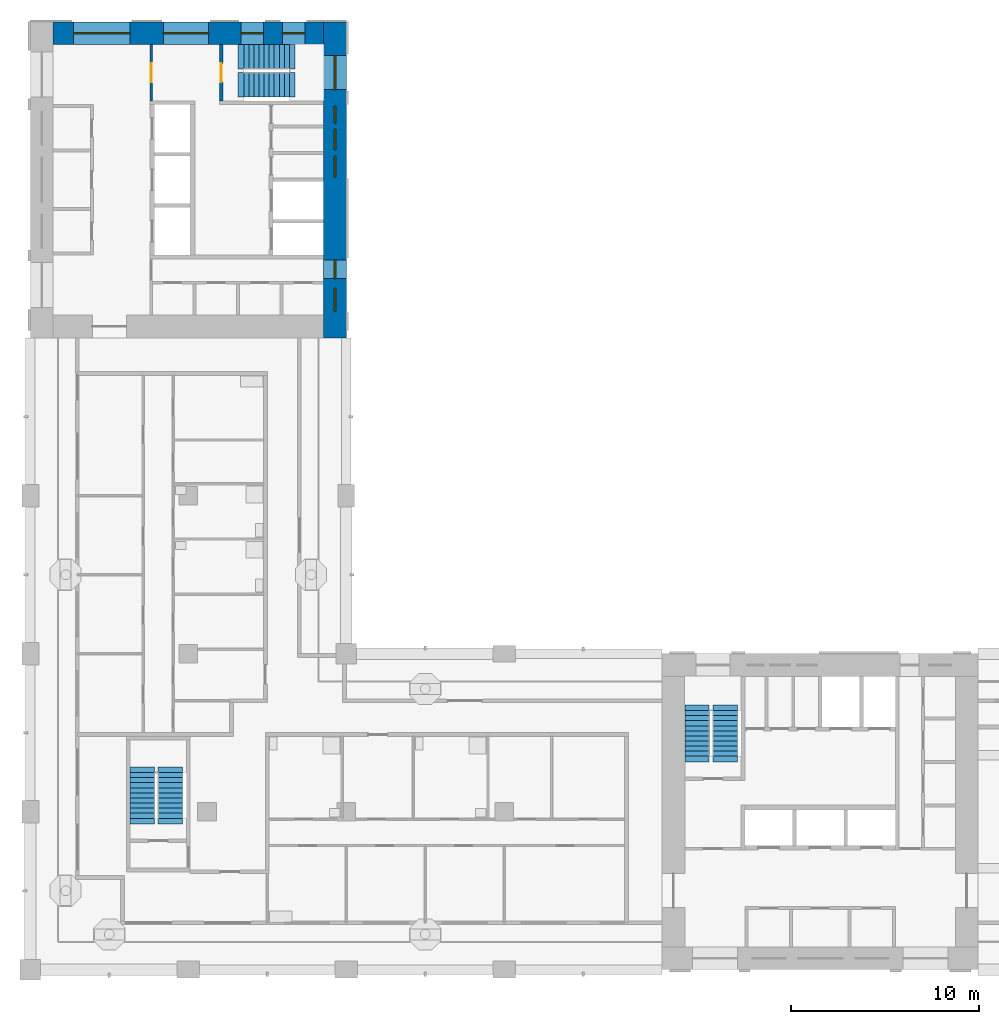
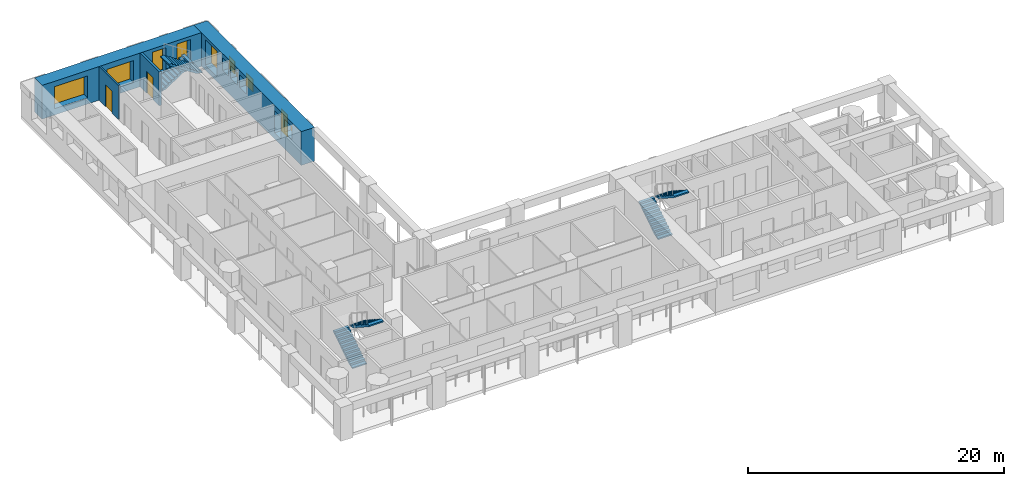
# One storey, part 7 of 13: 10 windows, 6 stair flights, 4 walls, 2 doors, 12 openings, 3 elements without a shape of their own.
"""IFC4 building model written with IfcOpenShell, lengths in metres."""

from ifc_helpers import new_model, si_unit, direction, frame, frame_2d, origin, place, context, subcontext, project, spatial, polyline, rectangle, outline, extrude, material, layer, layer_set, type_object, element, fill, aggregate, save


model = new_model("IFC4")

# Units and contexts
model_context = context("Model", 3, precision=1e-05, world=origin(), true_north=direction((0.0, 1.0)))
body_context = subcontext(model_context, "Body", "Model", "MODEL_VIEW")
ifc_project = project(units=[si_unit("LENGTHUNIT", "METRE"), si_unit("AREAUNIT", "SQUARE_METRE"), si_unit("VOLUMEUNIT", "CUBIC_METRE"), si_unit("PLANEANGLEUNIT", "RADIAN"), si_unit("MASSUNIT", "GRAM", prefix="KILO")], contexts=[model_context])

# Site, building, storey
site_placement = place(None, origin())
site = spatial("IfcSite", under=ifc_project, at=site_placement, CompositionType="ELEMENT")
building_placement = place(site_placement, origin())
building = spatial("IfcBuilding", under=site, at=building_placement, Name="Vermilion Gate Residences", CompositionType="ELEMENT")
storey_placement = place(building_placement, frame((0.0, 0.0, 158.199951171875)))
storey = spatial("IfcBuildingStorey", under=building, at=storey_placement, Name="L40", CompositionType="ELEMENT", Elevation=158.199951171875)

# Wall, opening, door
ifc_material_1 = material(Name="Masonry blockwork", Category="masonry")
ifc_layer_1 = layer(ifc_material_1, 0.14990234375)
ifc_layer_set_1 = layer_set([ifc_layer_1], Name="BLOCKWORK PARTITION 150 EI 120")
wall_type_1 = type_object("IfcWallType", Name="BLOCKWORK PARTITION 150 EI 120", PredefinedType="PARTITIONING", material=ifc_layer_set_1)
wall_1_placement = place(storey_placement, frame((14.824951171875, 57.60009765625, 0.0), z_axis=(0.0, 0.0, 1.0), x_axis=(0.0, -1.0, 0.0)))
wall_1 = element("IfcWall", 1, at=wall_1_placement, inside=storey, type_object=wall_type_1, Name="Core room partition B40-VW-S", PredefinedType="PARTITIONING", context=body_context, shape_type="SweptSolid", body=[
    extrude(rectangle(XDim=3.0, YDim=0.14990234375, at=frame_2d((1.5, 0.0))), origin(), (0.0, 0.0, 1.0), 3.219970703125),
])
opening_1_placement = place(wall_1_placement, frame((1.0, 0.0, 0.0)))
opening_1 = element("IfcOpeningElement", 2, at=opening_1_placement, cuts=wall_1, Name="Opening DK40113", PredefinedType="OPENING", context=body_context, shape_type="SweptSolid", body=[
    extrude(rectangle(XDim=1.0, YDim=2.10009765625, at=frame_2d((0.5, 1.050048828125))), frame((0.0, 0.0849609375, 0.0), z_axis=(0.0, -1.0, 0.0), x_axis=(1.0, 0.0, 0.0)), (0.0, 0.0, 1.0), 0.169921875),
])
ifc_material_2 = material(Name="Steel", Category="steel")
door_type = type_object("IfcDoorType", Name="FIRE DOOR FD60 1000 X 2100", OperationType="SINGLE_SWING_LEFT", PredefinedType="DOOR", material=ifc_material_2)
door_1_placement = place(opening_1_placement, frame((1.0, 0.0, 0.0), z_axis=(0.0, 0.0, 1.0), x_axis=(-1.0, 0.0, 0.0)))
door_1 = element("IfcDoor", 3, at=door_1_placement, inside=storey, type_object=door_type, Name="Stair vestibule door B40", OperationType="SINGLE_SWING_RIGHT", OverallHeight=2.10009765625, OverallWidth=1.0, PredefinedType="DOOR", context=body_context, shape_type="SweptSolid", body=[
    extrude(rectangle(XDim=1.0, YDim=2.10009765625, at=frame_2d((0.5, 1.050048828125))), frame((0.0, 0.02490234375, 0.0), z_axis=(0.0, -1.0, 0.0), x_axis=(1.0, 0.0, 0.0)), (0.0, 0.0, 1.0), 0.050048828125),
])
fill(opening_1, door_1)

ifc_material_3 = material(Name="Concrete C60", Category="concrete")
ifc_layer_2 = layer(ifc_material_3, 0.199951171875)
ifc_layer_set_2 = layer_set([ifc_layer_2], Name="RC CORE INTERNAL WALL 200 C60")
wall_type_2 = type_object("IfcWallType", Name="RC CORE INTERNAL WALL 200 C60", PredefinedType="SHEAR", material=ifc_layer_set_2)
wall_2_placement = place(storey_placement, frame((18.550048828125, 57.60009765625, 0.0), z_axis=(0.0, 0.0, 1.0), x_axis=(0.0, -1.0, 0.0)))
wall_2 = element("IfcWall", 4, at=wall_2_placement, inside=storey, type_object=wall_type_2, Name="Core internal wall B40-STW-S", PredefinedType="SHEAR", context=body_context, shape_type="SweptSolid", body=[
    extrude(rectangle(XDim=3.0, YDim=0.199951171875, at=frame_2d((1.5, 0.0))), origin(), (0.0, 0.0, 1.0), 3.219970703125),
])
opening_2_placement = place(wall_2_placement, frame((1.0, 0.0, 0.0)))
opening_2 = element("IfcOpeningElement", 5, at=opening_2_placement, cuts=wall_2, Name="Opening DK40114", PredefinedType="OPENING", context=body_context, shape_type="SweptSolid", body=[
    extrude(rectangle(XDim=1.0, YDim=2.10009765625, at=frame_2d((0.5, 1.050048828125))), frame((0.0, 0.10986328125, 0.0), z_axis=(0.0, -1.0, 0.0), x_axis=(1.0, 0.0, 0.0)), (0.0, 0.0, 1.0), 0.219970703125),
])
door_2_placement = place(opening_2_placement, origin())
door_2 = element("IfcDoor", 6, at=door_2_placement, inside=storey, type_object=door_type, Name="Stair door B40", OperationType="SINGLE_SWING_LEFT", OverallHeight=2.10009765625, OverallWidth=1.0, PredefinedType="DOOR", context=body_context, shape_type="SweptSolid", body=[
    extrude(rectangle(XDim=1.0, YDim=2.10009765625, at=frame_2d((0.5, 1.050048828125))), frame((0.0, 0.02490234375, 0.0), z_axis=(0.0, -1.0, 0.0), x_axis=(1.0, 0.0, 0.0)), (0.0, 0.0, 1.0), 0.050048828125),
])
fill(opening_2, door_2)

# Wall, openings, windows
ifc_material_4 = material(Name="Concrete C60 red-oxide pigmented", Category="concrete")
ifc_layer_3 = layer(ifc_material_4, 1.199951171875)
ifc_layer_set_3 = layer_set([ifc_layer_3], Name="RC CORE WALL 1200 C60 RED OXIDE")
wall_type_3 = type_object("IfcWallType", Name="RC CORE WALL 1200 C60 RED OXIDE", PredefinedType="SHEAR", material=ifc_layer_set_3)
wall_3_placement = place(storey_placement, frame((24.60009765625, 58.800048828125, 0.0), z_axis=(0.0, 0.0, 1.0), x_axis=(0.0, -1.0, 0.0)))
wall_3 = element("IfcWall", 7, at=wall_3_placement, inside=storey, type_object=wall_type_3, Name="Core wall B40-OUT-B1", PredefinedType="SHEAR", context=body_context, shape_type="SweptSolid", body=[
    extrude(rectangle(XDim=16.800048828125, YDim=1.199951171875, at=frame_2d((8.39990234375, 0.0))), origin(), (0.0, 0.0, 1.0), 3.219970703125),
])
opening_3_placement = place(wall_3_placement, frame((1.800048828125, 0.0, 0.5)))
opening_3 = element("IfcOpeningElement", 8, at=opening_3_placement, cuts=wall_3, Name="Opening WKB4006", PredefinedType="OPENING", context=body_context, shape_type="SweptSolid", body=[
    extrude(rectangle(XDim=1.800048828125, YDim=2.39990234375, at=frame_2d((0.89990234375, 1.199951171875))), frame((0.0, 0.60986328125, 0.0), z_axis=(0.0, -1.0, 0.0), x_axis=(1.0, 0.0, 0.0)), (0.0, 0.0, 1.0), 1.219970703125),
])
opening_4_placement = place(wall_3_placement, frame((4.489990234375, 0.0, 1.60009765625)))
opening_4 = element("IfcOpeningElement", 9, at=opening_4_placement, cuts=wall_3, Name="Opening WKB4007", PredefinedType="OPENING", context=body_context, shape_type="SweptSolid", body=[
    extrude(rectangle(XDim=0.89990234375, YDim=1.199951171875, at=frame_2d((0.449951171875, 0.60009765625))), frame((0.0, 0.60986328125, 0.0), z_axis=(0.0, -1.0, 0.0), x_axis=(1.0, 0.0, 0.0)), (0.0, 0.0, 1.0), 1.219970703125),
])
opening_5_placement = place(wall_3_placement, frame((5.7099609375, 0.0, 1.60009765625)))
opening_5 = element("IfcOpeningElement", 10, at=opening_5_placement, cuts=wall_3, Name="Opening WKB4008", PredefinedType="OPENING", context=body_context, shape_type="SweptSolid", body=[
    extrude(rectangle(XDim=1.10009765625, YDim=1.199951171875, at=frame_2d((0.550048828125, 0.60009765625))), frame((0.0, 0.60986328125, 0.0), z_axis=(0.0, -1.0, 0.0), x_axis=(1.0, 0.0, 0.0)), (0.0, 0.0, 1.0), 1.219970703125),
])
opening_6_placement = place(wall_3_placement, frame((7.14990234375, 0.0, 1.60009765625)))
opening_6 = element("IfcOpeningElement", 11, at=opening_6_placement, cuts=wall_3, Name="Opening WKB4009", PredefinedType="OPENING", context=body_context, shape_type="SweptSolid", body=[
    extrude(rectangle(XDim=1.10009765625, YDim=1.199951171875, at=frame_2d((0.550048828125, 0.60009765625))), frame((0.0, 0.60986328125, 0.0), z_axis=(0.0, -1.0, 0.0), x_axis=(1.0, 0.0, 0.0)), (0.0, 0.0, 1.0), 1.219970703125),
])
opening_7_placement = place(wall_3_placement, frame((12.64990234375, 0.0, 0.60009765625)))
opening_7 = element("IfcOpeningElement", 12, at=opening_7_placement, cuts=wall_3, Name="Opening WKB4010", PredefinedType="OPENING", context=body_context, shape_type="SweptSolid", body=[
    extrude(rectangle(XDim=1.0, YDim=2.10009765625, at=frame_2d((0.5, 1.050048828125))), frame((0.0, 0.60986328125, 0.0), z_axis=(0.0, -1.0, 0.0), x_axis=(1.0, 0.0, 0.0)), (0.0, 0.0, 1.0), 1.219970703125),
])
opening_8_placement = place(wall_3_placement, frame((14.175048828125, 0.0, 1.60009765625)))
opening_8 = element("IfcOpeningElement", 13, at=opening_8_placement, cuts=wall_3, Name="Opening WKB4011", PredefinedType="OPENING", context=body_context, shape_type="SweptSolid", body=[
    extrude(rectangle(XDim=1.199951171875, YDim=1.199951171875, at=frame_2d((0.60009765625, 0.60009765625))), frame((0.0, 0.60986328125, 0.0), z_axis=(0.0, -1.0, 0.0), x_axis=(1.0, 0.0, 0.0)), (0.0, 0.0, 1.0), 1.219970703125),
])
ifc_material_5 = material(Name="Aluminium and clear glass", Category="aluminium")
window_type_1 = type_object("IfcWindowType", Name="CORE CORRIDOR WINDOW 1000 X 2100", PartitioningType="SINGLE_PANEL", PredefinedType="WINDOW", material=ifc_material_5)
window_1_placement = place(opening_7_placement, origin())
window_1 = element("IfcWindow", 14, at=window_1_placement, inside=storey, type_object=window_type_1, Name="Core corridor window", OverallHeight=2.10009765625, OverallWidth=1.0, PartitioningType="SINGLE_PANEL", PredefinedType="WINDOW", context=body_context, shape_type="SweptSolid", body=[
    extrude(rectangle(XDim=1.0, YDim=2.10009765625, at=frame_2d((0.5, 1.050048828125))), frame((0.0, 0.030029296875, 0.0), z_axis=(0.0, -1.0, 0.0), x_axis=(1.0, 0.0, 0.0)), (0.0, 0.0, 1.0), 0.06005859375),
])
fill(opening_7, window_1)
ifc_material_6 = material(Name="Aluminium frame with louvre blades", Category="aluminium")
window_type_2 = type_object("IfcWindowType", Name="CORE LOUVRE 1100 X 1200", PartitioningType="SINGLE_PANEL", PredefinedType="WINDOW", material=ifc_material_6)
window_2_placement = place(opening_5_placement, origin())
window_2 = element("IfcWindow", 15, at=window_2_placement, inside=storey, type_object=window_type_2, Name="Core louvre", OverallHeight=1.199951171875, OverallWidth=1.10009765625, PartitioningType="SINGLE_PANEL", PredefinedType="WINDOW", context=body_context, shape_type="SweptSolid", body=[
    extrude(rectangle(XDim=1.10009765625, YDim=1.199951171875, at=frame_2d((0.550048828125, 0.60009765625))), frame((0.0, 0.030029296875, 0.0), z_axis=(0.0, -1.0, 0.0), x_axis=(1.0, 0.0, 0.0)), (0.0, 0.0, 1.0), 0.06005859375),
])
fill(opening_5, window_2)
window_3_placement = place(opening_6_placement, origin())
window_3 = element("IfcWindow", 16, at=window_3_placement, inside=storey, type_object=window_type_2, Name="Core louvre", OverallHeight=1.199951171875, OverallWidth=1.10009765625, PartitioningType="SINGLE_PANEL", PredefinedType="WINDOW", context=body_context, shape_type="SweptSolid", body=[
    extrude(rectangle(XDim=1.10009765625, YDim=1.199951171875, at=frame_2d((0.550048828125, 0.60009765625))), frame((0.0, 0.030029296875, 0.0), z_axis=(0.0, -1.0, 0.0), x_axis=(1.0, 0.0, 0.0)), (0.0, 0.0, 1.0), 0.06005859375),
])
fill(opening_6, window_3)
ifc_material_7 = material(Name="Aluminium frame with louvre blades", Category="aluminium")
window_type_3 = type_object("IfcWindowType", Name="CORE LOUVRE 1200 X 1200", PartitioningType="SINGLE_PANEL", PredefinedType="WINDOW", material=ifc_material_7)
window_4_placement = place(opening_8_placement, origin())
window_4 = element("IfcWindow", 17, at=window_4_placement, inside=storey, type_object=window_type_3, Name="Core louvre", OverallHeight=1.199951171875, OverallWidth=1.199951171875, PartitioningType="SINGLE_PANEL", PredefinedType="WINDOW", context=body_context, shape_type="SweptSolid", body=[
    extrude(rectangle(XDim=1.199951171875, YDim=1.199951171875, at=frame_2d((0.60009765625, 0.60009765625))), frame((0.0, 0.030029296875, 0.0), z_axis=(0.0, -1.0, 0.0), x_axis=(1.0, 0.0, 0.0)), (0.0, 0.0, 1.0), 0.06005859375),
])
fill(opening_8, window_4)
ifc_material_8 = material(Name="Aluminium frame with louvre blades", Category="aluminium")
window_type_4 = type_object("IfcWindowType", Name="CORE LOUVRE 900 X 1200", PartitioningType="SINGLE_PANEL", PredefinedType="WINDOW", material=ifc_material_8)
window_5_placement = place(opening_4_placement, origin())
window_5 = element("IfcWindow", 18, at=window_5_placement, inside=storey, type_object=window_type_4, Name="Core louvre", OverallHeight=1.199951171875, OverallWidth=0.89990234375, PartitioningType="SINGLE_PANEL", PredefinedType="WINDOW", context=body_context, shape_type="SweptSolid", body=[
    extrude(rectangle(XDim=0.89990234375, YDim=1.199951171875, at=frame_2d((0.449951171875, 0.60009765625))), frame((0.0, 0.030029296875, 0.0), z_axis=(0.0, -1.0, 0.0), x_axis=(1.0, 0.0, 0.0)), (0.0, 0.0, 1.0), 0.06005859375),
])
fill(opening_4, window_5)
ifc_material_9 = material(Name="Aluminium and clear glass", Category="aluminium")
window_type_5 = type_object("IfcWindowType", Name="CORE STAIR WINDOW 1800 X 2400", PartitioningType="SINGLE_PANEL", PredefinedType="WINDOW", material=ifc_material_9)
window_6_placement = place(opening_3_placement, origin())
window_6 = element("IfcWindow", 19, at=window_6_placement, inside=storey, type_object=window_type_5, Name="Core stair window", OverallHeight=2.39990234375, OverallWidth=1.800048828125, PartitioningType="SINGLE_PANEL", PredefinedType="WINDOW", context=body_context, shape_type="SweptSolid", body=[
    extrude(rectangle(XDim=1.800048828125, YDim=2.39990234375, at=frame_2d((0.89990234375, 1.199951171875))), frame((0.0, 0.030029296875, 0.0), z_axis=(0.0, -1.0, 0.0), x_axis=(1.0, 0.0, 0.0)), (0.0, 0.0, 1.0), 0.06005859375),
])
fill(opening_3, window_6)

wall_4_placement = place(storey_placement, frame((9.60009765625, 58.199951171875, 0.0), z_axis=(0.0, 0.0, 1.0), x_axis=(1.0, 0.0, 0.0)))
wall_4 = element("IfcWall", 20, at=wall_4_placement, inside=storey, type_object=wall_type_3, Name="Core wall B40-OUT-FR", PredefinedType="SHEAR", context=body_context, shape_type="SweptSolid", body=[
    extrude(rectangle(XDim=14.39990234375, YDim=1.199951171875, at=frame_2d((7.199951171875, 0.0))), origin(), (0.0, 0.0, 1.0), 3.219970703125),
])
opening_9_placement = place(wall_4_placement, frame((1.10498046875, 0.0, 0.60009765625)))
opening_9 = element("IfcOpeningElement", 21, at=opening_9_placement, cuts=wall_4, Name="Opening WKB4012", PredefinedType="OPENING", context=body_context, shape_type="SweptSolid", body=[
    extrude(rectangle(XDim=3.0, YDim=2.10009765625, at=frame_2d((1.5, 1.050048828125))), frame((0.0, 0.60986328125, 0.0), z_axis=(0.0, -1.0, 0.0), x_axis=(1.0, 0.0, 0.0)), (0.0, 0.0, 1.0), 1.219970703125),
])
opening_10_placement = place(wall_4_placement, frame((5.875, 0.0, 0.60009765625)))
opening_10 = element("IfcOpeningElement", 22, at=opening_10_placement, cuts=wall_4, Name="Opening WKB4013", PredefinedType="OPENING", context=body_context, shape_type="SweptSolid", body=[
    extrude(rectangle(XDim=2.39990234375, YDim=2.10009765625, at=frame_2d((1.199951171875, 1.050048828125))), frame((0.0, 0.60986328125, 0.0), z_axis=(0.0, -1.0, 0.0), x_axis=(1.0, 0.0, 0.0)), (0.0, 0.0, 1.0), 1.219970703125),
])
opening_11_placement = place(wall_4_placement, frame((9.993408203125, 0.0, 0.5)))
opening_11 = element("IfcOpeningElement", 23, at=opening_11_placement, cuts=wall_4, Name="Opening WKB4014", PredefinedType="OPENING", context=body_context, shape_type="SweptSolid", body=[
    extrude(rectangle(XDim=1.199951171875, YDim=2.39990234375, at=frame_2d((0.60009765625, 1.199951171875))), frame((0.0, 0.60986328125, 0.0), z_axis=(0.0, -1.0, 0.0), x_axis=(1.0, 0.0, 0.0)), (0.0, 0.0, 1.0), 1.219970703125),
])
opening_12_placement = place(wall_4_placement, frame((12.19677734375, 0.0, 0.5)))
opening_12 = element("IfcOpeningElement", 24, at=opening_12_placement, cuts=wall_4, Name="Opening WKB4015", PredefinedType="OPENING", context=body_context, shape_type="SweptSolid", body=[
    extrude(rectangle(XDim=1.199951171875, YDim=2.39990234375, at=frame_2d((0.60009765625, 1.199951171875))), frame((0.0, 0.60986328125, 0.0), z_axis=(0.0, -1.0, 0.0), x_axis=(1.0, 0.0, 0.0)), (0.0, 0.0, 1.0), 1.219970703125),
])
ifc_material_10 = material(Name="Aluminium and clear glass", Category="aluminium")
window_type_6 = type_object("IfcWindowType", Name="CORE LOBBY WINDOW 2400 X 2100", PartitioningType="SINGLE_PANEL", PredefinedType="WINDOW", material=ifc_material_10)
window_7_placement = place(opening_10_placement, origin())
window_7 = element("IfcWindow", 25, at=window_7_placement, inside=storey, type_object=window_type_6, Name="Core lobby window", OverallHeight=2.10009765625, OverallWidth=2.39990234375, PartitioningType="SINGLE_PANEL", PredefinedType="WINDOW", context=body_context, shape_type="SweptSolid", body=[
    extrude(rectangle(XDim=2.39990234375, YDim=2.10009765625, at=frame_2d((1.199951171875, 1.050048828125))), frame((0.0, 0.030029296875, 0.0), z_axis=(0.0, -1.0, 0.0), x_axis=(1.0, 0.0, 0.0)), (0.0, 0.0, 1.0), 0.06005859375),
])
fill(opening_10, window_7)
ifc_material_11 = material(Name="Aluminium and clear glass", Category="aluminium")
window_type_7 = type_object("IfcWindowType", Name="CORE LOBBY WINDOW 3000 X 2100", PartitioningType="SINGLE_PANEL", PredefinedType="WINDOW", material=ifc_material_11)
window_8_placement = place(opening_9_placement, origin())
window_8 = element("IfcWindow", 26, at=window_8_placement, inside=storey, type_object=window_type_7, Name="Core lobby window", OverallHeight=2.10009765625, OverallWidth=3.0, PartitioningType="SINGLE_PANEL", PredefinedType="WINDOW", context=body_context, shape_type="SweptSolid", body=[
    extrude(rectangle(XDim=3.0, YDim=2.10009765625, at=frame_2d((1.5, 1.050048828125))), frame((0.0, 0.030029296875, 0.0), z_axis=(0.0, -1.0, 0.0), x_axis=(1.0, 0.0, 0.0)), (0.0, 0.0, 1.0), 0.06005859375),
])
fill(opening_9, window_8)
ifc_material_12 = material(Name="Aluminium and clear glass", Category="aluminium")
window_type_8 = type_object("IfcWindowType", Name="CORE STAIR WINDOW 1200 X 2400", PartitioningType="SINGLE_PANEL", PredefinedType="WINDOW", material=ifc_material_12)
window_9_placement = place(opening_11_placement, origin())
window_9 = element("IfcWindow", 27, at=window_9_placement, inside=storey, type_object=window_type_8, Name="Core stair window", OverallHeight=2.39990234375, OverallWidth=1.199951171875, PartitioningType="SINGLE_PANEL", PredefinedType="WINDOW", context=body_context, shape_type="SweptSolid", body=[
    extrude(rectangle(XDim=1.199951171875, YDim=2.39990234375, at=frame_2d((0.60009765625, 1.199951171875))), frame((0.0, 0.030029296875, 0.0), z_axis=(0.0, -1.0, 0.0), x_axis=(1.0, 0.0, 0.0)), (0.0, 0.0, 1.0), 0.06005859375),
])
fill(opening_11, window_9)
window_10_placement = place(opening_12_placement, origin())
window_10 = element("IfcWindow", 28, at=window_10_placement, inside=storey, type_object=window_type_8, Name="Core stair window", OverallHeight=2.39990234375, OverallWidth=1.199951171875, PartitioningType="SINGLE_PANEL", PredefinedType="WINDOW", context=body_context, shape_type="SweptSolid", body=[
    extrude(rectangle(XDim=1.199951171875, YDim=2.39990234375, at=frame_2d((0.60009765625, 1.199951171875))), frame((0.0, 0.030029296875, 0.0), z_axis=(0.0, -1.0, 0.0), x_axis=(1.0, 0.0, 0.0)), (0.0, 0.0, 1.0), 0.06005859375),
])
fill(opening_12, window_10)

# Stair, stair flights
ifc_material_13 = material(Name="Concrete C50", Category="concrete")
stair_type = type_object("IfcStairType", Name="SPECIAL ESCAPE STAIR 1300", PredefinedType="HALF_TURN_STAIR", material=ifc_material_13)
stair_1_placement = place(storey_placement, origin())
stair_1 = element("IfcStair", 29, at=stair_1_placement, inside=storey, type_object=stair_type, Name="Special escape stair STA1-40", PredefinedType="HALF_TURN_STAIR")
ifc_material_14 = material(Name="Concrete C50", Category="concrete")
stair_flight_type = type_object("IfcStairFlightType", Name="STAIR FLIGHT 1300 RC C50", PredefinedType="STRAIGHT", material=ifc_material_14)
stair_flight_1_placement = place(storey_placement, frame((43.85009765625, 19.75, 0.0), z_axis=(0.0, 0.0, 1.0), x_axis=(0.0, 1.0, 0.0)))
stair_flight_1 = element("IfcStairFlight", 30, at=stair_flight_1_placement, type_object=stair_flight_type, Name="STA1-40 flight 1", NumberOfRisers=10, NumberOfTreads=9, PredefinedType="STRAIGHT", RiserHeight=0.175, TreadLength=0.27, context=body_context, shape_type="SweptSolid", body=[
    extrude(outline(polyline([(-0.300048828125, -0.14990234375), (-0.300048828125, -0.030029296875), (0.0, 0.0), (0.0, 0.175048828125), (0.27001953125, 0.175048828125), (0.27001953125, 0.35009765625), (0.5400390625, 0.35009765625), (0.5400390625, 0.52490234375), (0.81005859375, 0.52490234375), (0.81005859375, 0.699951171875), (1.080078125, 0.699951171875), (1.080078125, 0.875), (1.35009765625, 0.875), (1.35009765625, 1.050048828125), (1.6201171875, 1.050048828125), (1.6201171875, 1.22509765625), (1.889892578125, 1.22509765625), (1.889892578125, 1.39990234375), (2.159912109375, 1.39990234375), (2.159912109375, 1.574951171875), (2.429931640625, 1.574951171875), (2.429931640625, 1.75), (2.72998046875, 1.719970703125), (2.72998046875, 1.60009765625), (2.429931640625, 1.396484375), (0.275634765625, 0.0), (-0.300048828125, -0.14990234375)])), frame((0.0, 0.64990234375, 0.0), z_axis=(0.0, -1.0, 0.0), x_axis=(1.0, 0.0, 0.0)), (0.0, 0.0, 1.0), 1.300048828125),
])
stair_flight_2_placement = place(storey_placement, frame((45.35009765625, 22.179931640625, 1.75), z_axis=(0.0, 0.0, 1.0), x_axis=(0.0, -1.0, 0.0)))
stair_flight_2 = element("IfcStairFlight", 31, at=stair_flight_2_placement, type_object=stair_flight_type, Name="STA1-40 flight 2", NumberOfRisers=10, NumberOfTreads=9, PredefinedType="STRAIGHT", RiserHeight=0.175, TreadLength=0.27, context=body_context, shape_type="SweptSolid", body=[
    extrude(outline(polyline([(-0.300048828125, -0.14990234375), (-0.300048828125, -0.030029296875), (0.0, 0.0), (0.0, 0.175048828125), (0.27001953125, 0.175048828125), (0.27001953125, 0.35009765625), (0.5400390625, 0.35009765625), (0.5400390625, 0.52490234375), (0.81005859375, 0.52490234375), (0.81005859375, 0.699951171875), (1.080078125, 0.699951171875), (1.080078125, 0.875), (1.35009765625, 0.875), (1.35009765625, 1.050048828125), (1.6201171875, 1.050048828125), (1.6201171875, 1.22509765625), (1.889892578125, 1.22509765625), (1.889892578125, 1.39990234375), (2.159912109375, 1.39990234375), (2.159912109375, 1.574951171875), (2.429931640625, 1.574951171875), (2.429931640625, 1.75), (2.72998046875, 1.719970703125), (2.72998046875, 1.60009765625), (2.429931640625, 1.396484375), (0.275634765625, 0.0), (-0.300048828125, -0.14990234375)])), frame((0.0, 0.64990234375, 0.0), z_axis=(0.0, -1.0, 0.0), x_axis=(1.0, 0.0, 0.0)), (0.0, 0.0, 1.0), 1.300048828125),
])
aggregate(stair_1, [stair_flight_1, stair_flight_2])

stair_2_placement = place(storey_placement, origin())
stair_2 = element("IfcStair", 32, at=stair_2_placement, inside=storey, type_object=stair_type, Name="Special escape stair STB1-40", PredefinedType="HALF_TURN_STAIR")
stair_flight_3_placement = place(storey_placement, frame((19.75, 56.949951171875, 0.0), z_axis=(0.0, 0.0, 1.0), x_axis=(1.0, 0.0, 0.0)))
stair_flight_3 = element("IfcStairFlight", 33, at=stair_flight_3_placement, type_object=stair_flight_type, Name="STB1-40 flight 1", NumberOfRisers=10, NumberOfTreads=9, PredefinedType="STRAIGHT", RiserHeight=0.175, TreadLength=0.27, context=body_context, shape_type="SweptSolid", body=[
    extrude(outline(polyline([(-0.300048828125, -0.14990234375), (-0.300048828125, -0.030029296875), (0.0, 0.0), (0.0, 0.175048828125), (0.27001953125, 0.175048828125), (0.27001953125, 0.35009765625), (0.5400390625, 0.35009765625), (0.5400390625, 0.52490234375), (0.81005859375, 0.52490234375), (0.81005859375, 0.699951171875), (1.080078125, 0.699951171875), (1.080078125, 0.875), (1.35009765625, 0.875), (1.35009765625, 1.050048828125), (1.6201171875, 1.050048828125), (1.6201171875, 1.22509765625), (1.889892578125, 1.22509765625), (1.889892578125, 1.39990234375), (2.159912109375, 1.39990234375), (2.159912109375, 1.574951171875), (2.429931640625, 1.574951171875), (2.429931640625, 1.75), (2.72998046875, 1.719970703125), (2.72998046875, 1.60009765625), (2.429931640625, 1.396484375), (0.275634765625, 0.0), (-0.300048828125, -0.14990234375)])), frame((0.0, 0.64990234375, 0.0), z_axis=(0.0, -1.0, 0.0), x_axis=(1.0, 0.0, 0.0)), (0.0, 0.0, 1.0), 1.300048828125),
])
stair_flight_4_placement = place(storey_placement, frame((22.179931640625, 55.449951171875, 1.75), z_axis=(0.0, 0.0, 1.0), x_axis=(-1.0, 0.0, 0.0)))
stair_flight_4 = element("IfcStairFlight", 34, at=stair_flight_4_placement, type_object=stair_flight_type, Name="STB1-40 flight 2", NumberOfRisers=10, NumberOfTreads=9, PredefinedType="STRAIGHT", RiserHeight=0.175, TreadLength=0.27, context=body_context, shape_type="SweptSolid", body=[
    extrude(outline(polyline([(-0.300048828125, -0.14990234375), (-0.300048828125, -0.030029296875), (0.0, 0.0), (0.0, 0.175048828125), (0.27001953125, 0.175048828125), (0.27001953125, 0.35009765625), (0.5400390625, 0.35009765625), (0.5400390625, 0.52490234375), (0.81005859375, 0.52490234375), (0.81005859375, 0.699951171875), (1.080078125, 0.699951171875), (1.080078125, 0.875), (1.35009765625, 0.875), (1.35009765625, 1.050048828125), (1.6201171875, 1.050048828125), (1.6201171875, 1.22509765625), (1.889892578125, 1.22509765625), (1.889892578125, 1.39990234375), (2.159912109375, 1.39990234375), (2.159912109375, 1.574951171875), (2.429931640625, 1.574951171875), (2.429931640625, 1.75), (2.72998046875, 1.719970703125), (2.72998046875, 1.60009765625), (2.429931640625, 1.396484375), (0.275634765625, 0.0), (-0.300048828125, -0.14990234375)])), frame((0.0, 0.64990234375, 0.0), z_axis=(0.0, -1.0, 0.0), x_axis=(1.0, 0.0, 0.0)), (0.0, 0.0, 1.0), 1.300048828125),
])
aggregate(stair_2, [stair_flight_3, stair_flight_4])

stair_3_placement = place(storey_placement, origin())
stair_3 = element("IfcStair", 35, at=stair_3_placement, inside=storey, type_object=stair_type, Name="Special escape stair STC1-40", PredefinedType="HALF_TURN_STAIR")
stair_flight_5_placement = place(storey_placement, frame((14.35009765625, 16.449951171875, 0.0), z_axis=(0.0, 0.0, 1.0), x_axis=(0.0, 1.0, 0.0)))
stair_flight_5 = element("IfcStairFlight", 36, at=stair_flight_5_placement, type_object=stair_flight_type, Name="STC1-40 flight 1", NumberOfRisers=10, NumberOfTreads=9, PredefinedType="STRAIGHT", RiserHeight=0.175, TreadLength=0.27, context=body_context, shape_type="SweptSolid", body=[
    extrude(outline(polyline([(-0.300048828125, -0.14990234375), (-0.300048828125, -0.030029296875), (0.0, 0.0), (0.0, 0.175048828125), (0.27001953125, 0.175048828125), (0.27001953125, 0.35009765625), (0.5400390625, 0.35009765625), (0.5400390625, 0.52490234375), (0.81005859375, 0.52490234375), (0.81005859375, 0.699951171875), (1.080078125, 0.699951171875), (1.080078125, 0.875), (1.35009765625, 0.875), (1.35009765625, 1.050048828125), (1.6201171875, 1.050048828125), (1.6201171875, 1.22509765625), (1.889892578125, 1.22509765625), (1.889892578125, 1.39990234375), (2.159912109375, 1.39990234375), (2.159912109375, 1.574951171875), (2.429931640625, 1.574951171875), (2.429931640625, 1.75), (2.72998046875, 1.719970703125), (2.72998046875, 1.60009765625), (2.429931640625, 1.396484375), (0.275634765625, 0.0), (-0.300048828125, -0.14990234375)])), frame((0.0, 0.64990234375, 0.0), z_axis=(0.0, -1.0, 0.0), x_axis=(1.0, 0.0, 0.0)), (0.0, 0.0, 1.0), 1.300048828125),
])
stair_flight_6_placement = place(storey_placement, frame((15.85009765625, 18.8798828125, 1.75), z_axis=(0.0, 0.0, 1.0), x_axis=(0.0, -1.0, 0.0)))
stair_flight_6 = element("IfcStairFlight", 37, at=stair_flight_6_placement, type_object=stair_flight_type, Name="STC1-40 flight 2", NumberOfRisers=10, NumberOfTreads=9, PredefinedType="STRAIGHT", RiserHeight=0.175, TreadLength=0.27, context=body_context, shape_type="SweptSolid", body=[
    extrude(outline(polyline([(-0.300048828125, -0.14990234375), (-0.300048828125, -0.030029296875), (0.0, 0.0), (0.0, 0.175048828125), (0.27001953125, 0.175048828125), (0.27001953125, 0.35009765625), (0.5400390625, 0.35009765625), (0.5400390625, 0.52490234375), (0.81005859375, 0.52490234375), (0.81005859375, 0.699951171875), (1.080078125, 0.699951171875), (1.080078125, 0.875), (1.35009765625, 0.875), (1.35009765625, 1.050048828125), (1.6201171875, 1.050048828125), (1.6201171875, 1.22509765625), (1.889892578125, 1.22509765625), (1.889892578125, 1.39990234375), (2.159912109375, 1.39990234375), (2.159912109375, 1.574951171875), (2.429931640625, 1.574951171875), (2.429931640625, 1.75), (2.72998046875, 1.719970703125), (2.72998046875, 1.60009765625), (2.429931640625, 1.396484375), (0.275634765625, 0.0), (-0.300048828125, -0.14990234375)])), frame((0.0, 0.64990234375, 0.0), z_axis=(0.0, -1.0, 0.0), x_axis=(1.0, 0.0, 0.0)), (0.0, 0.0, 1.0), 1.300048828125),
])
aggregate(stair_3, [stair_flight_5, stair_flight_6])

save(model, "model.ifc")
